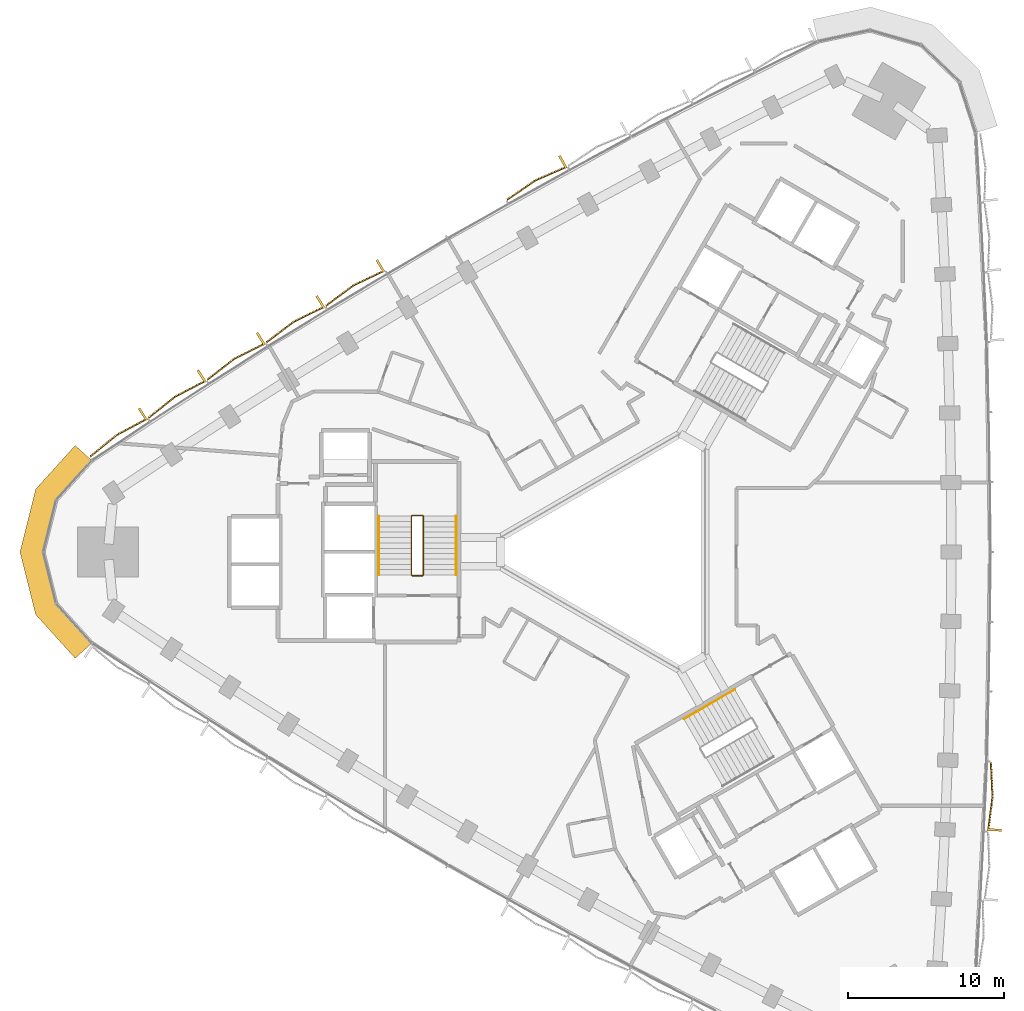
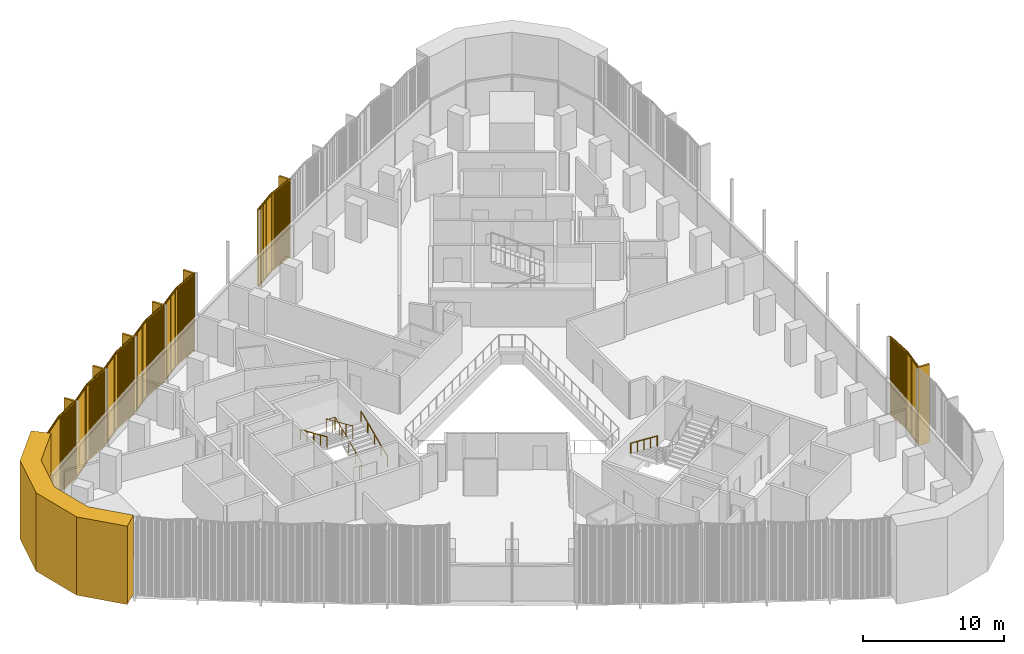
# One storey, part 13 of 15: 8 coverings, 4 railings.
"""IFC4 building model written with IfcOpenShell, lengths in metres."""

from ifc_helpers import new_model, si_unit, direction, frame, frame_2d, origin, origin_2d, place, context, subcontext, project, spatial, polyline, rectangle, circle, outline, extrude, source, transform, mapped, material, layer, layer_set, type_object, element, save


model = new_model("IFC4")

# Units and contexts
model_context = context("Model", 3, precision=1e-05, world=origin(), true_north=direction((0.0, 1.0)))
body_context = subcontext(model_context, "Body", "Model", "MODEL_VIEW")
ifc_project = project(units=[si_unit("LENGTHUNIT", "METRE"), si_unit("AREAUNIT", "SQUARE_METRE"), si_unit("VOLUMEUNIT", "CUBIC_METRE"), si_unit("PLANEANGLEUNIT", "RADIAN"), si_unit("MASSUNIT", "GRAM", prefix="KILO")], contexts=[model_context])

# Site, building, storey
site_placement = place(None, origin())
site = spatial("IfcSite", under=ifc_project, at=site_placement, CompositionType="ELEMENT")
building_placement = place(site_placement, origin())
building = spatial("IfcBuilding", under=site, at=building_placement, Name="Tamra Quay Hotel Tower", CompositionType="ELEMENT")
storey_placement = place(building_placement, frame((0.0, 0.0, 101.0)))
storey = spatial("IfcBuildingStorey", under=building, at=storey_placement, Name="L24", CompositionType="ELEMENT", Elevation=101.0)

# Covering
ifc_material_1 = material(Name="Precast concrete M60 terracotta-coloured", Category="masonry")
ifc_layer = layer(ifc_material_1, 1.449951171875)
ifc_layer_set = layer_set([ifc_layer], Name="CORNER PIER PANEL")
covering_type_1 = type_object("IfcCoveringType", Name="CORNER PIER PANEL", PredefinedType="CLADDING", material=ifc_layer_set)
covering_1_placement = place(storey_placement, origin())
element("IfcCovering", 1, at=covering_1_placement, inside=storey, type_object=covering_type_1, Name="Corner pier L24.north-west", PredefinedType="CLADDING", context=body_context, shape_type="SweptSolid", body=[
    extrude(outline(polyline([(-34.337890625, 5.839599609375), (-35.414306640625, 6.811279296875), (-37.942138671875, 4.01123046875), (-38.944091796875, 0.0), (-37.942138671875, -4.01123046875), (-35.414306640625, -6.811279296875), (-34.337890625, -5.839599609375), (-36.623046875, -3.308349609375), (-37.449462890625, 0.0), (-36.623046875, 3.308349609375), (-34.337890625, 5.839599609375)])), origin(), (0.0, 0.0, 1.0), 6.77490234375),
])

# Railings
ifc_material_2 = material(Name="Stair guard 1100")
railing_type_1 = type_object("IfcRailingType", Name="Stair guard 1100", PredefinedType="GUARDRAIL", material=ifc_material_2)
railing_1_placement = place(storey_placement, frame((-13.84130859375, -1.530029296875, 0.0)))
element("IfcRailing", 2, at=railing_1_placement, inside=storey, type_object=railing_type_1, Name="GR", PredefinedType="GUARDRAIL", context=body_context, shape_type="SweptSolid", body=[
    extrude(circle(Radius=0.02392578125, at=origin_2d()), frame((0.0, 0.0, 1.076171875), z_axis=(1.0, 0.0, 0.0), x_axis=(0.0, 1.0, 0.0)), (0.0, 0.0, 1.0), 0.658935546875),
    extrude(circle(Radius=0.02392578125, at=origin_2d()), frame((0.658935546875, 0.0, 1.076171875), z_axis=(0.301912943143, 0.301912943143, 0.904266083366), x_axis=(-0.707106781187, 0.707106781187, 0.0)), (0.0, 0.0, 1.0), 0.165771484375),
    extrude(circle(Radius=0.02392578125, at=origin_2d()), frame((0.708984375, 0.050048828125, 1.22607421875), z_axis=(0.0, 0.915773634228, 0.401694723457), x_axis=(-1.0, 0.0, 0.0)), (0.0, 0.0, 1.0), 4.10791015625),
    extrude(circle(Radius=0.02392578125, at=origin_2d()), frame((0.708984375, 3.81201171875, 2.8759765625), z_axis=(-0.708833529934, 0.705375805398, 0.0), x_axis=(-0.705375805398, -0.708833529934, 0.0)), (0.0, 0.0, 1.0), 0.070556640625),
    extrude(circle(Radius=0.02392578125, at=origin_2d()), frame((0.658935546875, 3.86181640625, 2.8759765625), z_axis=(-1.0, 0.0, 0.0), x_axis=(0.0, -1.0, 0.0)), (0.0, 0.0, 1.0), 0.658935546875),
    extrude(circle(Radius=0.02392578125, at=origin_2d()), frame((0.0, 3.86181640625, 2.8759765625), z_axis=(-0.302046947789, -0.300573548044, 0.904667443621), x_axis=(0.705375805398, -0.708833529934, 0.0)), (0.0, 0.0, 1.0), 0.165771484375),
    extrude(circle(Radius=0.02392578125, at=origin_2d()), frame((-0.050048828125, 3.81201171875, 3.02587890625), z_axis=(0.0, -0.915773634228, 0.401694723457), x_axis=(1.0, 0.0, 0.0)), (0.0, 0.0, 1.0), 4.10791015625),
    extrude(circle(Radius=0.02099609375, at=origin_2d()), origin(), (0.0, 0.0, 1.0), 1.052001953125),
    extrude(circle(Radius=0.02099609375, at=origin_2d()), frame((0.658935546875, 0.0, 0.0)), (0.0, 0.0, 1.0), 1.052001953125),
    extrude(circle(Radius=0.02099609375, at=origin_2d()), frame((0.708984375, 0.050048828125, 0.14990234375)), (0.0, 0.0, 1.0), 1.052001953125),
    extrude(circle(Radius=0.02099609375, at=origin_2d()), frame((0.708984375, 0.990478515625, 0.5625)), (0.0, 0.0, 1.0), 1.052001953125),
    extrude(circle(Radius=0.02099609375, at=origin_2d()), frame((0.708984375, 1.93115234375, 0.97509765625)), (0.0, 0.0, 1.0), 1.052001953125),
    extrude(circle(Radius=0.02099609375, at=origin_2d()), frame((0.708984375, 2.87158203125, 1.387451171875)), (0.0, 0.0, 1.0), 1.052001953125),
    extrude(circle(Radius=0.02099609375, at=origin_2d()), frame((0.708984375, 3.81201171875, 1.800048828125)), (0.0, 0.0, 1.0), 1.052001953125),
    extrude(circle(Radius=0.02099609375, at=origin_2d()), frame((0.658935546875, 3.86181640625, 1.800048828125)), (0.0, 0.0, 1.0), 1.052001953125),
    extrude(circle(Radius=0.02099609375, at=origin_2d()), frame((0.0, 3.86181640625, 1.800048828125)), (0.0, 0.0, 1.0), 1.052001953125),
    extrude(circle(Radius=0.02099609375, at=origin_2d()), frame((-0.050048828125, 3.81201171875, 1.949951171875)), (0.0, 0.0, 1.0), 1.052001953125),
    extrude(circle(Radius=0.02099609375, at=origin_2d()), frame((-0.050048828125, 2.87158203125, 2.362548828125)), (0.0, 0.0, 1.0), 1.052001953125),
    extrude(circle(Radius=0.02099609375, at=origin_2d()), frame((-0.050048828125, 1.93115234375, 2.77490234375)), (0.0, 0.0, 1.0), 1.052001953125),
    extrude(circle(Radius=0.02099609375, at=origin_2d()), frame((-0.050048828125, 0.990478515625, 3.1875)), (0.0, 0.0, 1.0), 1.052001953125),
    extrude(circle(Radius=0.02099609375, at=origin_2d()), frame((-0.050048828125, 0.050048828125, 3.60009765625)), (0.0, 0.0, 1.0), 1.052001953125),
])
ifc_material_3 = material(Name="Stair handrail 900")
railing_type_2 = type_object("IfcRailingType", Name="Stair handrail 900", PredefinedType="HANDRAIL", material=ifc_material_3)
railing_2_placement = place(storey_placement, frame((-11.0322265625, -1.47998046875, 0.14990234375)))
element("IfcRailing", 3, at=railing_2_placement, inside=storey, type_object=railing_type_2, Name="HR", PredefinedType="HANDRAIL", context=body_context, shape_type="SweptSolid", body=[
    extrude(circle(Radius=0.02392578125, at=origin_2d()), frame((0.0, 0.0, 0.8759765625), z_axis=(0.0, 0.915773634228, 0.401694723457), x_axis=(-1.0, 0.0, 0.0)), (0.0, 0.0, 1.0), 4.10791015625),
    extrude(circle(Radius=0.02099609375, at=origin_2d()), origin(), (0.0, 0.0, 1.0), 0.851806640625),
    extrude(circle(Radius=0.02099609375, at=origin_2d()), frame((0.0, 0.9404296875, 0.41259765625)), (0.0, 0.0, 1.0), 0.851806640625),
    extrude(circle(Radius=0.02099609375, at=origin_2d()), frame((0.0, 1.880859375, 0.8251953125)), (0.0, 0.0, 1.0), 0.851806640625),
    extrude(circle(Radius=0.02099609375, at=origin_2d()), frame((0.0, 2.821533203125, 1.237548828125)), (0.0, 0.0, 1.0), 0.851806640625),
    extrude(circle(Radius=0.02099609375, at=origin_2d()), frame((0.0, 3.761962890625, 1.650146484375)), (0.0, 0.0, 1.0), 0.851806640625),
])
railing_3_placement = place(storey_placement, frame((-15.9912109375, 2.281982421875, 1.949951171875)))
element("IfcRailing", 4, at=railing_3_placement, inside=storey, type_object=railing_type_2, Name="HR", PredefinedType="HANDRAIL", context=body_context, shape_type="SweptSolid", body=[
    extrude(circle(Radius=0.02392578125, at=origin_2d()), frame((0.0, 0.0, 0.8759765625), z_axis=(0.0, -0.915773634228, 0.401694723457), x_axis=(1.0, 0.0, 0.0)), (0.0, 0.0, 1.0), 4.10791015625),
    extrude(circle(Radius=0.02099609375, at=origin_2d()), origin(), (0.0, 0.0, 1.0), 0.851806640625),
    extrude(circle(Radius=0.02099609375, at=origin_2d()), frame((0.0, -0.9404296875, 0.41259765625)), (0.0, 0.0, 1.0), 0.851806640625),
    extrude(circle(Radius=0.02099609375, at=origin_2d()), frame((0.0, -1.880859375, 0.8251953125)), (0.0, 0.0, 1.0), 0.851806640625),
    extrude(circle(Radius=0.02099609375, at=origin_2d()), frame((0.0, -2.821533203125, 1.237548828125)), (0.0, 0.0, 1.0), 0.851806640625),
    extrude(circle(Radius=0.02099609375, at=origin_2d()), frame((0.0, -3.761962890625, 1.650146484375)), (0.0, 0.0, 1.0), 0.851806640625),
])
railing_4_placement = place(storey_placement, frame((6.7978515625, -8.814208984375, 0.14990234375)))
element("IfcRailing", 5, at=railing_4_placement, inside=storey, type_object=railing_type_2, Name="HR", PredefinedType="HANDRAIL", context=body_context, shape_type="SweptSolid", body=[
    extrude(circle(Radius=0.02392578125, at=origin_2d()), frame((0.0, 0.0, 0.8759765625), z_axis=(-0.793081112945, -0.457875966286, 0.40171127416), x_axis=(0.499992114976, -0.866029956157, 0.0)), (0.0, 0.0, 1.0), 4.10791015625),
    extrude(circle(Radius=0.02099609375, at=origin_2d()), origin(), (0.0, 0.0, 1.0), 0.851806640625),
    extrude(circle(Radius=0.02099609375, at=origin_2d()), frame((-0.814453125, -0.47021484375, 0.41259765625)), (0.0, 0.0, 1.0), 0.851806640625),
    extrude(circle(Radius=0.02099609375, at=origin_2d()), frame((-1.62890625, -0.9404296875, 0.8251953125)), (0.0, 0.0, 1.0), 0.851806640625),
    extrude(circle(Radius=0.02099609375, at=origin_2d()), frame((-2.443359375, -1.41064453125, 1.237548828125)), (0.0, 0.0, 1.0), 0.851806640625),
    extrude(circle(Radius=0.02099609375, at=origin_2d()), frame((-3.2578125, -1.880859375, 1.650146484375)), (0.0, 0.0, 1.0), 0.851806640625),
])

# Coverings
ifc_material_4 = material(Name="Terracotta baguette extruded", Category="masonry")
covering_type_2 = type_object("IfcCoveringType", Name="BAGUETTE SCREEN E-V H6775", PredefinedType="USERDEFINED", material=ifc_material_4)
shared_shape_1 = source(origin(), body_context, "Body", "SweptSolid", [
    extrude(rectangle(XDim=2.200927734375, YDim=0.06005859375, at=frame_2d((1.1005859375, 0.030029296875))), frame((-2.19775390625, -0.057861328125, -0.1201171875), z_axis=(0.0, 0.0, 1.0), x_axis=(0.996194698092, -0.087155742748, 0.0)), (0.0, 0.0, 1.0), 0.1201171875),
    extrude(rectangle(XDim=2.200927734375, YDim=0.06005859375, at=frame_2d((1.1005859375, 0.030029296875))), frame((-2.19775390625, -0.057861328125, -6.77490234375), z_axis=(0.0, 0.0, 1.0), x_axis=(0.996194698092, -0.087155742748, 0.0)), (0.0, 0.0, 1.0), 0.1201171875),
    extrude(rectangle(XDim=0.070068359375, YDim=0.10009765625, at=frame_2d((0.03515625, 0.050048828125))), frame((-2.177734375, -0.13232421875, -6.715087890625)), (0.0, 0.0, 1.0), 6.655029296875),
    extrude(rectangle(XDim=0.070068359375, YDim=0.10009765625, at=frame_2d((0.03515625, 0.050048828125))), frame((-2.078125, -0.14111328125, -6.715087890625)), (0.0, 0.0, 1.0), 6.655029296875),
    extrude(rectangle(XDim=0.070068359375, YDim=0.10009765625, at=frame_2d((0.03515625, 0.050048828125))), frame((-1.978271484375, -0.14990234375, -6.715087890625)), (0.0, 0.0, 1.0), 6.655029296875),
    extrude(rectangle(XDim=0.070068359375, YDim=0.10009765625, at=frame_2d((0.03515625, 0.050048828125))), frame((-1.878662109375, -0.158447265625, -6.715087890625)), (0.0, 0.0, 1.0), 6.655029296875),
    extrude(rectangle(XDim=0.070068359375, YDim=0.10009765625, at=frame_2d((0.03515625, 0.050048828125))), frame((-1.779052734375, -0.167236328125, -6.715087890625)), (0.0, 0.0, 1.0), 6.655029296875),
    extrude(rectangle(XDim=0.070068359375, YDim=0.10009765625, at=frame_2d((0.03515625, 0.050048828125))), frame((-1.679443359375, -0.176025390625, -6.715087890625)), (0.0, 0.0, 1.0), 6.655029296875),
    extrude(rectangle(XDim=0.070068359375, YDim=0.10009765625, at=frame_2d((0.03515625, 0.050048828125))), frame((-1.579833984375, -0.1845703125, -6.715087890625)), (0.0, 0.0, 1.0), 6.655029296875),
    extrude(rectangle(XDim=0.070068359375, YDim=0.10009765625, at=frame_2d((0.03515625, 0.050048828125))), frame((-1.47998046875, -0.193359375, -6.715087890625)), (0.0, 0.0, 1.0), 6.655029296875),
    extrude(rectangle(XDim=0.070068359375, YDim=0.10009765625, at=frame_2d((0.03515625, 0.050048828125))), frame((-1.38037109375, -0.2021484375, -6.715087890625)), (0.0, 0.0, 1.0), 6.655029296875),
    extrude(rectangle(XDim=0.070068359375, YDim=0.10009765625, at=frame_2d((0.03515625, 0.050048828125))), frame((-1.28076171875, -0.2109375, -6.715087890625)), (0.0, 0.0, 1.0), 6.655029296875),
    extrude(rectangle(XDim=0.070068359375, YDim=0.10009765625, at=frame_2d((0.03515625, 0.050048828125))), frame((-1.18115234375, -0.219482421875, -6.715087890625)), (0.0, 0.0, 1.0), 6.655029296875),
    extrude(rectangle(XDim=0.070068359375, YDim=0.10009765625, at=frame_2d((0.03515625, 0.050048828125))), frame((-1.081298828125, -0.228271484375, -6.715087890625)), (0.0, 0.0, 1.0), 6.655029296875),
    extrude(rectangle(XDim=0.070068359375, YDim=0.10009765625, at=frame_2d((0.03515625, 0.050048828125))), frame((-0.981689453125, -0.237060546875, -6.715087890625)), (0.0, 0.0, 1.0), 6.655029296875),
    extrude(rectangle(XDim=0.070068359375, YDim=0.10009765625, at=frame_2d((0.03515625, 0.050048828125))), frame((-0.882080078125, -0.24560546875, -6.715087890625)), (0.0, 0.0, 1.0), 6.655029296875),
    extrude(rectangle(XDim=0.070068359375, YDim=0.10009765625, at=frame_2d((0.03515625, 0.050048828125))), frame((-0.782470703125, -0.25439453125, -6.715087890625)), (0.0, 0.0, 1.0), 6.655029296875),
    extrude(rectangle(XDim=0.070068359375, YDim=0.10009765625, at=frame_2d((0.03515625, 0.050048828125))), frame((-0.682861328125, -0.26318359375, -6.715087890625)), (0.0, 0.0, 1.0), 6.655029296875),
    extrude(rectangle(XDim=0.070068359375, YDim=0.10009765625, at=frame_2d((0.03515625, 0.050048828125))), frame((-0.583251953125, -0.27197265625, -6.715087890625)), (0.0, 0.0, 1.0), 6.655029296875),
    extrude(rectangle(XDim=0.070068359375, YDim=0.10009765625, at=frame_2d((0.03515625, 0.050048828125))), frame((-0.4833984375, -0.280517578125, -6.715087890625)), (0.0, 0.0, 1.0), 6.655029296875),
    extrude(rectangle(XDim=0.070068359375, YDim=0.10009765625, at=frame_2d((0.03515625, 0.050048828125))), frame((-0.3837890625, -0.289306640625, -6.715087890625)), (0.0, 0.0, 1.0), 6.655029296875),
    extrude(rectangle(XDim=0.070068359375, YDim=0.10009765625, at=frame_2d((0.03515625, 0.050048828125))), frame((-0.2841796875, -0.298095703125, -6.715087890625)), (0.0, 0.0, 1.0), 6.655029296875),
    extrude(rectangle(XDim=0.070068359375, YDim=0.10009765625, at=frame_2d((0.03515625, 0.050048828125))), frame((-0.1845703125, -0.306640625, -6.715087890625)), (0.0, 0.0, 1.0), 6.655029296875),
    extrude(rectangle(XDim=0.070068359375, YDim=0.10009765625, at=frame_2d((0.03515625, 0.050048828125))), frame((-0.084716796875, -0.3154296875, -6.715087890625)), (0.0, 0.0, 1.0), 6.655029296875),
    extrude(rectangle(XDim=2.200927734375, YDim=0.06005859375, at=frame_2d((1.1005859375, 0.030029296875))), frame((0.005126953125, -0.24951171875, -0.1201171875), z_axis=(0.0, 0.0, 1.0), x_axis=(0.996194698092, 0.087155742748, 0.0)), (0.0, 0.0, 1.0), 0.1201171875),
    extrude(rectangle(XDim=2.200927734375, YDim=0.06005859375, at=frame_2d((1.1005859375, 0.030029296875))), frame((0.005126953125, -0.24951171875, -6.77490234375), z_axis=(0.0, 0.0, 1.0), x_axis=(0.996194698092, 0.087155742748, 0.0)), (0.0, 0.0, 1.0), 0.1201171875),
    extrude(rectangle(XDim=0.070068359375, YDim=0.10009765625, at=frame_2d((0.03515625, 0.050048828125))), frame((0.014892578125, -0.3154296875, -6.715087890625)), (0.0, 0.0, 1.0), 6.655029296875),
    extrude(rectangle(XDim=0.070068359375, YDim=0.10009765625, at=frame_2d((0.03515625, 0.050048828125))), frame((0.114501953125, -0.306640625, -6.715087890625)), (0.0, 0.0, 1.0), 6.655029296875),
    extrude(rectangle(XDim=0.070068359375, YDim=0.10009765625, at=frame_2d((0.03515625, 0.050048828125))), frame((0.214111328125, -0.298095703125, -6.715087890625)), (0.0, 0.0, 1.0), 6.655029296875),
    extrude(rectangle(XDim=0.070068359375, YDim=0.10009765625, at=frame_2d((0.03515625, 0.050048828125))), frame((0.313720703125, -0.289306640625, -6.715087890625)), (0.0, 0.0, 1.0), 6.655029296875),
    extrude(rectangle(XDim=0.070068359375, YDim=0.10009765625, at=frame_2d((0.03515625, 0.050048828125))), frame((0.41357421875, -0.280517578125, -6.715087890625)), (0.0, 0.0, 1.0), 6.655029296875),
    extrude(rectangle(XDim=0.070068359375, YDim=0.10009765625, at=frame_2d((0.03515625, 0.050048828125))), frame((0.51318359375, -0.27197265625, -6.715087890625)), (0.0, 0.0, 1.0), 6.655029296875),
    extrude(rectangle(XDim=0.070068359375, YDim=0.10009765625, at=frame_2d((0.03515625, 0.050048828125))), frame((0.61279296875, -0.26318359375, -6.715087890625)), (0.0, 0.0, 1.0), 6.655029296875),
    extrude(rectangle(XDim=0.070068359375, YDim=0.10009765625, at=frame_2d((0.03515625, 0.050048828125))), frame((0.71240234375, -0.25439453125, -6.715087890625)), (0.0, 0.0, 1.0), 6.655029296875),
    extrude(rectangle(XDim=0.070068359375, YDim=0.10009765625, at=frame_2d((0.03515625, 0.050048828125))), frame((0.81201171875, -0.24560546875, -6.715087890625)), (0.0, 0.0, 1.0), 6.655029296875),
    extrude(rectangle(XDim=0.070068359375, YDim=0.10009765625, at=frame_2d((0.03515625, 0.050048828125))), frame((0.911865234375, -0.237060546875, -6.715087890625)), (0.0, 0.0, 1.0), 6.655029296875),
    extrude(rectangle(XDim=0.070068359375, YDim=0.10009765625, at=frame_2d((0.03515625, 0.050048828125))), frame((1.011474609375, -0.228271484375, -6.715087890625)), (0.0, 0.0, 1.0), 6.655029296875),
    extrude(rectangle(XDim=0.070068359375, YDim=0.10009765625, at=frame_2d((0.03515625, 0.050048828125))), frame((1.111083984375, -0.219482421875, -6.715087890625)), (0.0, 0.0, 1.0), 6.655029296875),
    extrude(rectangle(XDim=0.070068359375, YDim=0.10009765625, at=frame_2d((0.03515625, 0.050048828125))), frame((1.210693359375, -0.2109375, -6.715087890625)), (0.0, 0.0, 1.0), 6.655029296875),
    extrude(rectangle(XDim=0.070068359375, YDim=0.10009765625, at=frame_2d((0.03515625, 0.050048828125))), frame((1.310302734375, -0.2021484375, -6.715087890625)), (0.0, 0.0, 1.0), 6.655029296875),
    extrude(rectangle(XDim=0.070068359375, YDim=0.10009765625, at=frame_2d((0.03515625, 0.050048828125))), frame((1.41015625, -0.193359375, -6.715087890625)), (0.0, 0.0, 1.0), 6.655029296875),
    extrude(rectangle(XDim=0.070068359375, YDim=0.10009765625, at=frame_2d((0.03515625, 0.050048828125))), frame((1.509765625, -0.1845703125, -6.715087890625)), (0.0, 0.0, 1.0), 6.655029296875),
    extrude(rectangle(XDim=0.070068359375, YDim=0.10009765625, at=frame_2d((0.03515625, 0.050048828125))), frame((1.609375, -0.176025390625, -6.715087890625)), (0.0, 0.0, 1.0), 6.655029296875),
    extrude(rectangle(XDim=0.070068359375, YDim=0.10009765625, at=frame_2d((0.03515625, 0.050048828125))), frame((1.708984375, -0.167236328125, -6.715087890625)), (0.0, 0.0, 1.0), 6.655029296875),
    extrude(rectangle(XDim=0.070068359375, YDim=0.10009765625, at=frame_2d((0.03515625, 0.050048828125))), frame((1.80859375, -0.158447265625, -6.715087890625)), (0.0, 0.0, 1.0), 6.655029296875),
    extrude(rectangle(XDim=0.070068359375, YDim=0.10009765625, at=frame_2d((0.03515625, 0.050048828125))), frame((1.908447265625, -0.14990234375, -6.715087890625)), (0.0, 0.0, 1.0), 6.655029296875),
    extrude(rectangle(XDim=0.070068359375, YDim=0.10009765625, at=frame_2d((0.03515625, 0.050048828125))), frame((2.008056640625, -0.14111328125, -6.715087890625)), (0.0, 0.0, 1.0), 6.655029296875),
    extrude(rectangle(XDim=0.070068359375, YDim=0.10009765625, at=frame_2d((0.03515625, 0.050048828125))), frame((2.107666015625, -0.13232421875, -6.715087890625)), (0.0, 0.0, 1.0), 6.655029296875),
    extrude(rectangle(XDim=0.14990234375, YDim=0.902099609375, at=frame_2d((0.074951171875, 0.451171875))), frame((-2.1923828125, -0.89990234375, -6.77490234375)), (0.0, 0.0, 1.0), 6.77490234375),
])
covering_2_placement = place(storey_placement, frame((23.04345703125, -15.66064453125, 6.77490234375), z_axis=(0.0, 0.0, 1.0), x_axis=(0.039943885581, 0.99920192454, 0.0)))
element("IfcCovering", 6, at=covering_2_placement, inside=storey, type_object=covering_type_2, Name="Baguette screen L24.E.f02", ObjectType="BAGUETTE SCREEN", PredefinedType="USERDEFINED", context=body_context, shape_type="MappedRepresentation", body=[
    mapped(shared_shape_1, transform((0.0, 0.0, 0.0), scale=1.0)),
])
covering_type_3 = type_object("IfcCoveringType", Name="BAGUETTE SCREEN NW-V H6775", PredefinedType="USERDEFINED", material=ifc_material_4)
shared_shape_2 = source(origin(), body_context, "Body", "SweptSolid", [
    extrude(rectangle(XDim=2.20263671875, YDim=0.06005859375, at=frame_2d((1.101318359375, 0.030029296875))), frame((-2.1982421875, -0.0576171875, -0.1201171875), z_axis=(0.0, 0.0, 1.0), x_axis=(0.995396198367, -0.09584575252, 0.0)), (0.0, 0.0, 1.0), 0.1201171875),
    extrude(rectangle(XDim=2.20263671875, YDim=0.06005859375, at=frame_2d((1.101318359375, 0.030029296875))), frame((-2.1982421875, -0.0576171875, -6.77490234375), z_axis=(0.0, 0.0, 1.0), x_axis=(0.995396198367, -0.09584575252, 0.0)), (0.0, 0.0, 1.0), 0.1201171875),
    extrude(rectangle(XDim=0.070068359375, YDim=0.10009765625, at=frame_2d((0.03515625, 0.050048828125))), frame((-2.177734375, -0.1328125, -6.715087890625)), (0.0, 0.0, 1.0), 6.655029296875),
    extrude(rectangle(XDim=0.070068359375, YDim=0.10009765625, at=frame_2d((0.03515625, 0.050048828125))), frame((-2.078125, -0.142333984375, -6.715087890625)), (0.0, 0.0, 1.0), 6.655029296875),
    extrude(rectangle(XDim=0.070068359375, YDim=0.10009765625, at=frame_2d((0.03515625, 0.050048828125))), frame((-1.978271484375, -0.152099609375, -6.715087890625)), (0.0, 0.0, 1.0), 6.655029296875),
    extrude(rectangle(XDim=0.070068359375, YDim=0.10009765625, at=frame_2d((0.03515625, 0.050048828125))), frame((-1.878662109375, -0.16162109375, -6.715087890625)), (0.0, 0.0, 1.0), 6.655029296875),
    extrude(rectangle(XDim=0.070068359375, YDim=0.10009765625, at=frame_2d((0.03515625, 0.050048828125))), frame((-1.779052734375, -0.171142578125, -6.715087890625)), (0.0, 0.0, 1.0), 6.655029296875),
    extrude(rectangle(XDim=0.070068359375, YDim=0.10009765625, at=frame_2d((0.03515625, 0.050048828125))), frame((-1.679443359375, -0.1806640625, -6.715087890625)), (0.0, 0.0, 1.0), 6.655029296875),
    extrude(rectangle(XDim=0.070068359375, YDim=0.10009765625, at=frame_2d((0.03515625, 0.050048828125))), frame((-1.579833984375, -0.1904296875, -6.715087890625)), (0.0, 0.0, 1.0), 6.655029296875),
    extrude(rectangle(XDim=0.070068359375, YDim=0.10009765625, at=frame_2d((0.03515625, 0.050048828125))), frame((-1.47998046875, -0.199951171875, -6.715087890625)), (0.0, 0.0, 1.0), 6.655029296875),
    extrude(rectangle(XDim=0.070068359375, YDim=0.10009765625, at=frame_2d((0.03515625, 0.050048828125))), frame((-1.38037109375, -0.20947265625, -6.715087890625)), (0.0, 0.0, 1.0), 6.655029296875),
    extrude(rectangle(XDim=0.070068359375, YDim=0.10009765625, at=frame_2d((0.03515625, 0.050048828125))), frame((-1.28076171875, -0.21923828125, -6.715087890625)), (0.0, 0.0, 1.0), 6.655029296875),
    extrude(rectangle(XDim=0.070068359375, YDim=0.10009765625, at=frame_2d((0.03515625, 0.050048828125))), frame((-1.18115234375, -0.228759765625, -6.715087890625)), (0.0, 0.0, 1.0), 6.655029296875),
    extrude(rectangle(XDim=0.070068359375, YDim=0.10009765625, at=frame_2d((0.03515625, 0.050048828125))), frame((-1.081298828125, -0.23828125, -6.715087890625)), (0.0, 0.0, 1.0), 6.655029296875),
    extrude(rectangle(XDim=0.070068359375, YDim=0.10009765625, at=frame_2d((0.03515625, 0.050048828125))), frame((-0.981689453125, -0.248046875, -6.715087890625)), (0.0, 0.0, 1.0), 6.655029296875),
    extrude(rectangle(XDim=0.070068359375, YDim=0.10009765625, at=frame_2d((0.03515625, 0.050048828125))), frame((-0.882080078125, -0.257568359375, -6.715087890625)), (0.0, 0.0, 1.0), 6.655029296875),
    extrude(rectangle(XDim=0.070068359375, YDim=0.10009765625, at=frame_2d((0.03515625, 0.050048828125))), frame((-0.782470703125, -0.26708984375, -6.715087890625)), (0.0, 0.0, 1.0), 6.655029296875),
    extrude(rectangle(XDim=0.070068359375, YDim=0.10009765625, at=frame_2d((0.03515625, 0.050048828125))), frame((-0.682861328125, -0.27685546875, -6.715087890625)), (0.0, 0.0, 1.0), 6.655029296875),
    extrude(rectangle(XDim=0.070068359375, YDim=0.10009765625, at=frame_2d((0.03515625, 0.050048828125))), frame((-0.583251953125, -0.286376953125, -6.715087890625)), (0.0, 0.0, 1.0), 6.655029296875),
    extrude(rectangle(XDim=0.070068359375, YDim=0.10009765625, at=frame_2d((0.03515625, 0.050048828125))), frame((-0.4833984375, -0.2958984375, -6.715087890625)), (0.0, 0.0, 1.0), 6.655029296875),
    extrude(rectangle(XDim=0.070068359375, YDim=0.10009765625, at=frame_2d((0.03515625, 0.050048828125))), frame((-0.3837890625, -0.305419921875, -6.715087890625)), (0.0, 0.0, 1.0), 6.655029296875),
    extrude(rectangle(XDim=0.070068359375, YDim=0.10009765625, at=frame_2d((0.03515625, 0.050048828125))), frame((-0.2841796875, -0.315185546875, -6.715087890625)), (0.0, 0.0, 1.0), 6.655029296875),
    extrude(rectangle(XDim=0.070068359375, YDim=0.10009765625, at=frame_2d((0.03515625, 0.050048828125))), frame((-0.1845703125, -0.32470703125, -6.715087890625)), (0.0, 0.0, 1.0), 6.655029296875),
    extrude(rectangle(XDim=0.070068359375, YDim=0.10009765625, at=frame_2d((0.03515625, 0.050048828125))), frame((-0.084716796875, -0.334228515625, -6.715087890625)), (0.0, 0.0, 1.0), 6.655029296875),
    extrude(rectangle(XDim=2.20263671875, YDim=0.06005859375, at=frame_2d((1.101318359375, 0.030029296875))), frame((0.005859375, -0.268798828125, -0.1201171875), z_axis=(0.0, 0.0, 1.0), x_axis=(0.995396198367, 0.09584575252, 0.0)), (0.0, 0.0, 1.0), 0.1201171875),
    extrude(rectangle(XDim=2.20263671875, YDim=0.06005859375, at=frame_2d((1.101318359375, 0.030029296875))), frame((0.005859375, -0.268798828125, -6.77490234375), z_axis=(0.0, 0.0, 1.0), x_axis=(0.995396198367, 0.09584575252, 0.0)), (0.0, 0.0, 1.0), 0.1201171875),
    extrude(rectangle(XDim=0.070068359375, YDim=0.10009765625, at=frame_2d((0.03515625, 0.050048828125))), frame((0.014892578125, -0.334228515625, -6.715087890625)), (0.0, 0.0, 1.0), 6.655029296875),
    extrude(rectangle(XDim=0.070068359375, YDim=0.10009765625, at=frame_2d((0.03515625, 0.050048828125))), frame((0.114501953125, -0.32470703125, -6.715087890625)), (0.0, 0.0, 1.0), 6.655029296875),
    extrude(rectangle(XDim=0.070068359375, YDim=0.10009765625, at=frame_2d((0.03515625, 0.050048828125))), frame((0.214111328125, -0.315185546875, -6.715087890625)), (0.0, 0.0, 1.0), 6.655029296875),
    extrude(rectangle(XDim=0.070068359375, YDim=0.10009765625, at=frame_2d((0.03515625, 0.050048828125))), frame((0.313720703125, -0.305419921875, -6.715087890625)), (0.0, 0.0, 1.0), 6.655029296875),
    extrude(rectangle(XDim=0.070068359375, YDim=0.10009765625, at=frame_2d((0.03515625, 0.050048828125))), frame((0.41357421875, -0.2958984375, -6.715087890625)), (0.0, 0.0, 1.0), 6.655029296875),
    extrude(rectangle(XDim=0.070068359375, YDim=0.10009765625, at=frame_2d((0.03515625, 0.050048828125))), frame((0.51318359375, -0.286376953125, -6.715087890625)), (0.0, 0.0, 1.0), 6.655029296875),
    extrude(rectangle(XDim=0.070068359375, YDim=0.10009765625, at=frame_2d((0.03515625, 0.050048828125))), frame((0.61279296875, -0.27685546875, -6.715087890625)), (0.0, 0.0, 1.0), 6.655029296875),
    extrude(rectangle(XDim=0.070068359375, YDim=0.10009765625, at=frame_2d((0.03515625, 0.050048828125))), frame((0.71240234375, -0.26708984375, -6.715087890625)), (0.0, 0.0, 1.0), 6.655029296875),
    extrude(rectangle(XDim=0.070068359375, YDim=0.10009765625, at=frame_2d((0.03515625, 0.050048828125))), frame((0.81201171875, -0.257568359375, -6.715087890625)), (0.0, 0.0, 1.0), 6.655029296875),
    extrude(rectangle(XDim=0.070068359375, YDim=0.10009765625, at=frame_2d((0.03515625, 0.050048828125))), frame((0.911865234375, -0.248046875, -6.715087890625)), (0.0, 0.0, 1.0), 6.655029296875),
    extrude(rectangle(XDim=0.070068359375, YDim=0.10009765625, at=frame_2d((0.03515625, 0.050048828125))), frame((1.011474609375, -0.23828125, -6.715087890625)), (0.0, 0.0, 1.0), 6.655029296875),
    extrude(rectangle(XDim=0.070068359375, YDim=0.10009765625, at=frame_2d((0.03515625, 0.050048828125))), frame((1.111083984375, -0.228759765625, -6.715087890625)), (0.0, 0.0, 1.0), 6.655029296875),
    extrude(rectangle(XDim=0.070068359375, YDim=0.10009765625, at=frame_2d((0.03515625, 0.050048828125))), frame((1.210693359375, -0.21923828125, -6.715087890625)), (0.0, 0.0, 1.0), 6.655029296875),
    extrude(rectangle(XDim=0.070068359375, YDim=0.10009765625, at=frame_2d((0.03515625, 0.050048828125))), frame((1.310302734375, -0.20947265625, -6.715087890625)), (0.0, 0.0, 1.0), 6.655029296875),
    extrude(rectangle(XDim=0.070068359375, YDim=0.10009765625, at=frame_2d((0.03515625, 0.050048828125))), frame((1.41015625, -0.199951171875, -6.715087890625)), (0.0, 0.0, 1.0), 6.655029296875),
    extrude(rectangle(XDim=0.070068359375, YDim=0.10009765625, at=frame_2d((0.03515625, 0.050048828125))), frame((1.509765625, -0.1904296875, -6.715087890625)), (0.0, 0.0, 1.0), 6.655029296875),
    extrude(rectangle(XDim=0.070068359375, YDim=0.10009765625, at=frame_2d((0.03515625, 0.050048828125))), frame((1.609375, -0.1806640625, -6.715087890625)), (0.0, 0.0, 1.0), 6.655029296875),
    extrude(rectangle(XDim=0.070068359375, YDim=0.10009765625, at=frame_2d((0.03515625, 0.050048828125))), frame((1.708984375, -0.171142578125, -6.715087890625)), (0.0, 0.0, 1.0), 6.655029296875),
    extrude(rectangle(XDim=0.070068359375, YDim=0.10009765625, at=frame_2d((0.03515625, 0.050048828125))), frame((1.80859375, -0.16162109375, -6.715087890625)), (0.0, 0.0, 1.0), 6.655029296875),
    extrude(rectangle(XDim=0.070068359375, YDim=0.10009765625, at=frame_2d((0.03515625, 0.050048828125))), frame((1.908447265625, -0.152099609375, -6.715087890625)), (0.0, 0.0, 1.0), 6.655029296875),
    extrude(rectangle(XDim=0.070068359375, YDim=0.10009765625, at=frame_2d((0.03515625, 0.050048828125))), frame((2.008056640625, -0.142333984375, -6.715087890625)), (0.0, 0.0, 1.0), 6.655029296875),
    extrude(rectangle(XDim=0.070068359375, YDim=0.10009765625, at=frame_2d((0.03515625, 0.050048828125))), frame((2.107666015625, -0.1328125, -6.715087890625)), (0.0, 0.0, 1.0), 6.655029296875),
    extrude(rectangle(XDim=0.14990234375, YDim=0.902099609375, at=frame_2d((0.074951171875, 0.451171875))), frame((-2.1923828125, -0.89990234375, -6.77490234375)), (0.0, 0.0, 1.0), 6.77490234375),
])
for number, where, z_axis, x_axis, name in (
    (7, (-5.835693359375, 23.533935546875, 6.77490234375), (0.0, 0.0, 1.0), (-0.874465248197, -0.485088166931, 0.0), "Baguette screen L24.NW.f04"),
    (8, (-17.463134765625, 16.82080078125, 6.77490234375), (0.0, 0.0, 1.0), (-0.857331299736, -0.5147650362, 0.0), "Baguette screen L24.NW.f07"),
    (9, (-21.287109375, 14.4951171875, 6.77490234375), (0.0, 0.0, 1.0), (-0.851399310906, -0.524518077276, 0.0), "Baguette screen L24.NW.f08"),
    (10, (-25.084228515625, 12.125732421875, 6.77490234375), (0.0, 0.0, 1.0), (-0.845362307372, -0.534193381909, 0.0), "Baguette screen L24.NW.f09"),
    (11, (-28.854248046875, 9.71337890625, 6.77490234375), (0.0, 0.0, 1.0), (-0.839223806914, -0.543786172966, 0.0), "Baguette screen L24.NW.f10"),
    (12, (-32.595947265625, 7.258544921875, 6.77490234375), (0.0, 0.0, 1.0), (-0.832988106715, -0.553290894622, 0.0), "Baguette screen L24.NW.f11"),
):
    element("IfcCovering", number, at=place(storey_placement, frame(where, z_axis=z_axis, x_axis=x_axis)), inside=storey, type_object=covering_type_3, Name=name, ObjectType="BAGUETTE SCREEN", PredefinedType="USERDEFINED", context=body_context, shape_type="MappedRepresentation", body=[
        mapped(shared_shape_2, transform((0.0, 0.0, 0.0), scale=1.0)),
    ])

save(model, "model.ifc")
